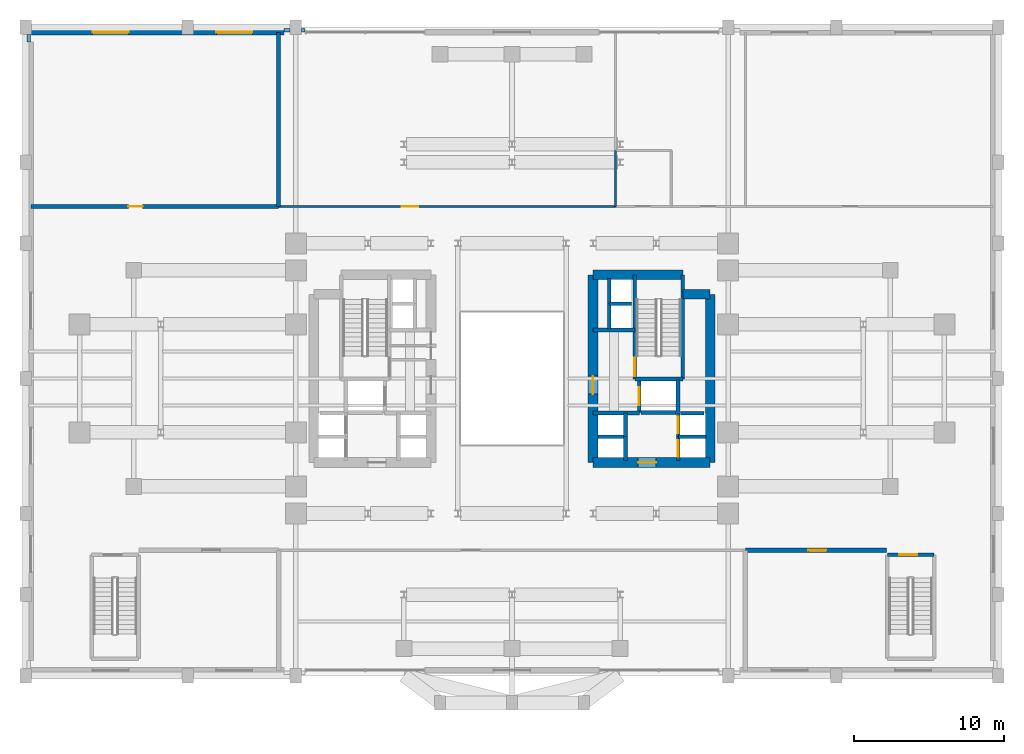
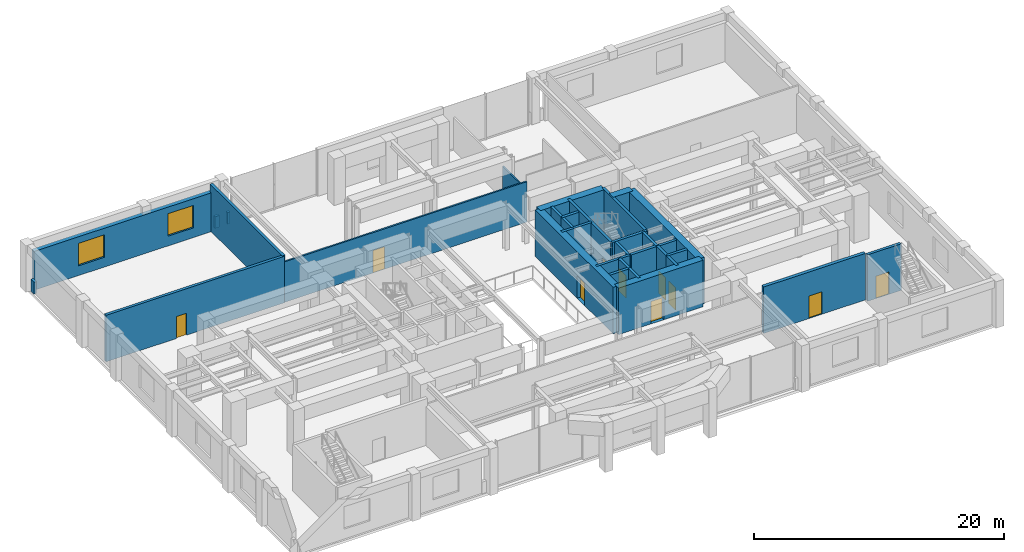
# One storey, part 11 of 14: 33 walls, 10 doors, 2 windows, 12 openings.
"""IFC4 building model written with IfcOpenShell, lengths in metres."""

from ifc_helpers import new_model, si_unit, direction, frame, frame_2d, origin, place, context, subcontext, project, spatial, rectangle, extrude, source, transform, mapped, material, layer, layer_set, type_object, element, fill, save


model = new_model("IFC4")

# Units and contexts
model_context = context("Model", 3, precision=1e-05, world=origin(), true_north=direction((0.0, 1.0)))
body_context = subcontext(model_context, "Body", "Model", "MODEL_VIEW")
ifc_project = project(units=[si_unit("LENGTHUNIT", "METRE"), si_unit("AREAUNIT", "SQUARE_METRE"), si_unit("VOLUMEUNIT", "CUBIC_METRE"), si_unit("PLANEANGLEUNIT", "RADIAN"), si_unit("MASSUNIT", "GRAM", prefix="KILO")], contexts=[model_context])

# Site, building, storey
site_placement = place(None, origin())
site = spatial("IfcSite", under=ifc_project, at=site_placement, CompositionType="ELEMENT")
building_placement = place(site_placement, origin())
building = spatial("IfcBuilding", under=site, at=building_placement, Name="Keilestroom Media Tower", CompositionType="ELEMENT")
storey_placement = place(building_placement, frame((0.0, 0.0, 15.60009765625)))
storey = spatial("IfcBuildingStorey", under=building, at=storey_placement, Name="L03", CompositionType="ELEMENT", Elevation=15.60009765625)

# Wall, opening, door
ifc_material_1 = material(Name="Concrete C45/55", Category="concrete")
ifc_layer_1 = layer(ifc_material_1, 0.25)
ifc_layer_set_1 = layer_set([ifc_layer_1], Name="Concrete C45/55")
wall_type_1 = type_object("IfcWallType", Name="Acoustic-Studio-Isolation-Wall-250", PredefinedType="SOLIDWALL", material=ifc_layer_set_1)
wall_1_placement = place(storey_placement, frame((-32.050048828125, 11.449951171875, 0.0), z_axis=(0.0, 0.0, 1.0), x_axis=(1.0, 0.0, 0.0)))
wall_1 = element("IfcWall", 1, at=wall_1_placement, inside=storey, type_object=wall_type_1, Name="L03 Interior Wall WP-L03-CTRL-NW-S", PredefinedType="SOLIDWALL", context=body_context, shape_type="SweptSolid", body=[
    extrude(rectangle(XDim=16.5, YDim=0.25, at=frame_2d((8.25, 0.0))), origin(), (0.0, 0.0, 1.0), 4.5498046875),
])
opening_1_placement = place(wall_1_placement, frame((6.5, 0.0, 0.0)))
opening_1 = element("IfcOpeningElement", 2, at=opening_1_placement, cuts=wall_1, Name="Opening DI-03", PredefinedType="OPENING", context=body_context, shape_type="SweptSolid", body=[
    extrude(rectangle(XDim=0.949951171875, YDim=2.14990234375, at=frame_2d((0.47509765625, 1.074951171875))), frame((0.0, 0.135009765625, 0.0), z_axis=(0.0, -1.0, 0.0), x_axis=(1.0, 0.0, 0.0)), (0.0, 0.0, 1.0), 0.27001953125),
])
ifc_material_2 = material(Name="Lacquered European Oak Leaf", Category="wood")
door_type_1 = type_object("IfcDoorType", Name="Interior-Room-And-Suite-Door-DI-03", OperationType="NOTDEFINED", PredefinedType="DOOR", material=ifc_material_2)
shared_shape_1 = source(origin(), body_context, "Body", "SweptSolid", [
    extrude(rectangle(XDim=0.949951171875, YDim=2.14990234375, at=frame_2d((0.47509765625, 1.074951171875))), frame((0.0, 0.02490234375, 0.0), z_axis=(0.0, -1.0, 0.0), x_axis=(1.0, 0.0, 0.0)), (0.0, 0.0, 1.0), 0.050048828125),
])
door_1_placement = place(opening_1_placement, origin())
door_1 = element("IfcDoor", 3, at=door_1_placement, inside=storey, type_object=door_type_1, Name="L03 Interior Door DI-L03-CTRL-NW-D", OperationType="SINGLE_SWING_LEFT", OverallHeight=2.14990234375, OverallWidth=0.949951171875, PredefinedType="DOOR", context=body_context, shape_type="MappedRepresentation", body=[
    mapped(shared_shape_1, transform((0.0, 0.0, 0.0), x_axis=(1.0, 0.0, 0.0), y_axis=(0.0, 1.0, 0.0), z_axis=(0.0, 0.0, 1.0), scale=1.0)),
])
fill(opening_1, door_1)

# Wall
wall_2_placement = place(storey_placement, frame((-15.550048828125, 11.449951171875, 0.0), z_axis=(0.0, 0.0, 1.0), x_axis=(0.0, 1.0, 0.0)))
element("IfcWall", 4, at=wall_2_placement, inside=storey, type_object=wall_type_1, Name="L03 Interior Wall WP-L03-CTRL-NW-E", PredefinedType="SOLIDWALL", context=body_context, shape_type="SweptSolid", body=[
    extrude(rectangle(XDim=11.60009765625, YDim=0.25, at=frame_2d((5.800048828125, 0.0))), origin(), (0.0, 0.0, 1.0), 4.5498046875),
])

# Wall, opening, door
ifc_layer_2 = layer(ifc_material_1, 0.300048828125)
ifc_layer_set_2 = layer_set([ifc_layer_2], Name="Concrete C45/55")
wall_type_2 = type_object("IfcWallType", Name="Acoustic-Studio-Isolation-Wall-300", PredefinedType="SOLIDWALL", material=ifc_layer_set_2)
wall_3_placement = place(storey_placement, frame((15.550048828125, -11.449951171875, 0.0), z_axis=(0.0, 0.0, 1.0), x_axis=(1.0, 0.0, 0.0)))
wall_3 = element("IfcWall", 5, at=wall_3_placement, inside=storey, type_object=wall_type_2, Name="L03 Interior Wall WP-L03-STD-SE-N", PredefinedType="SOLIDWALL", context=body_context, shape_type="SweptSolid", body=[
    extrude(rectangle(XDim=9.409912109375, YDim=0.300048828125, at=frame_2d((4.705078125, 0.0))), origin(), (0.0, 0.0, 1.0), 4.5498046875),
])
opening_2_placement = place(wall_3_placement, frame((4.199951171875, 0.0, 0.0)))
opening_2 = element("IfcOpeningElement", 6, at=opening_2_placement, cuts=wall_3, Name="Opening DI-02", PredefinedType="OPENING", context=body_context, shape_type="SweptSolid", body=[
    extrude(rectangle(XDim=1.199951171875, YDim=2.199951171875, at=frame_2d((0.60009765625, 1.10009765625))), frame((0.0, 0.16015625, 0.0), z_axis=(0.0, -1.0, 0.0), x_axis=(1.0, 0.0, 0.0)), (0.0, 0.0, 1.0), 0.320068359375),
])
ifc_material_3 = material(Name="Powder-Coated Steel Fire Leaf", Category="steel")
door_type_2 = type_object("IfcDoorType", Name="Interior-Compartment-Fire-Door-DI-02", OperationType="NOTDEFINED", PredefinedType="DOOR", material=ifc_material_3)
shared_shape_2 = source(origin(), body_context, "Body", "SweptSolid", [
    extrude(rectangle(XDim=1.199951171875, YDim=2.199951171875, at=frame_2d((0.60009765625, 1.10009765625))), frame((0.0, 0.02490234375, 0.0), z_axis=(0.0, -1.0, 0.0), x_axis=(1.0, 0.0, 0.0)), (0.0, 0.0, 1.0), 0.050048828125),
])
door_2_placement = place(opening_2_placement, origin())
door_2 = element("IfcDoor", 7, at=door_2_placement, inside=storey, type_object=door_type_2, Name="L03 Interior Door DI-L03-STD-SE-D", OperationType="SINGLE_SWING_RIGHT", OverallHeight=2.199951171875, OverallWidth=1.199951171875, PredefinedType="DOOR", context=body_context, shape_type="MappedRepresentation", body=[
    mapped(shared_shape_2, transform((0.0, 0.0, 0.0), x_axis=(1.0, 0.0, 0.0), y_axis=(0.0, 1.0, 0.0), z_axis=(0.0, 0.0, 1.0), scale=1.0)),
])
fill(opening_2, door_2)

# Wall, openings, windows
ifc_material_4 = material(Name="Precast concrete C40/50", Category="concrete")
ifc_layer_3 = layer(ifc_material_4, 0.3798828125)
ifc_layer_set_3 = layer_set([ifc_layer_3], Name="Precast concrete C40/50")
wall_type_3 = type_object("IfcWallType", Name="Exterior-Masonry-Spandrel-Wall-380", PredefinedType="SOLIDWALL", material=ifc_layer_set_3)
wall_4_placement = place(storey_placement, frame((-32.050048828125, 23.050048828125, 0.0), z_axis=(0.0, 0.0, 1.0), x_axis=(1.0, 0.0, 0.0)))
wall_4 = element("IfcWall", 8, at=wall_4_placement, inside=storey, type_object=wall_type_3, Name="L03 Podium Precast Masonry Wall EWL-L03-N-W", PredefinedType="SOLIDWALL", context=body_context, shape_type="SweptSolid", body=[
    extrude(rectangle(XDim=16.85009765625, YDim=0.3798828125, at=frame_2d((8.425048828125, 0.0))), origin(), (0.0, 0.0, 1.0), 3.7998046875),
])
opening_3_placement = place(wall_4_placement, frame((4.112060546875, 0.0, 0.949951171875)))
opening_3 = element("IfcOpeningElement", 9, at=opening_3_placement, cuts=wall_4, Name="Opening WN-02", PredefinedType="OPENING", context=body_context, shape_type="SweptSolid", body=[
    extrude(rectangle(XDim=2.39990234375, YDim=2.199951171875, at=frame_2d((1.199951171875, 1.10009765625))), frame((0.0, 0.199951171875, 0.0), z_axis=(0.0, -1.0, 0.0), x_axis=(1.0, 0.0, 0.0)), (0.0, 0.0, 1.0), 0.39990234375),
])
opening_4_placement = place(wall_4_placement, frame((12.362060546875, 0.0, 0.949951171875)))
opening_4 = element("IfcOpeningElement", 10, at=opening_4_placement, cuts=wall_4, Name="Opening WN-02", PredefinedType="OPENING", context=body_context, shape_type="SweptSolid", body=[
    extrude(rectangle(XDim=2.39990234375, YDim=2.199951171875, at=frame_2d((1.199951171875, 1.10009765625))), frame((0.0, 0.199951171875, 0.0), z_axis=(0.0, -1.0, 0.0), x_axis=(1.0, 0.0, 0.0)), (0.0, 0.0, 1.0), 0.39990234375),
])
ifc_material_5 = material(Name="Triple Glazed Low-E Window Unit", Category="glass")
window_type = type_object("IfcWindowType", Name="Recessed-Punched-Window-WN-02", PartitioningType="DOUBLE_PANEL_VERTICAL", PredefinedType="WINDOW", material=ifc_material_5)
shared_shape_3 = source(origin(), body_context, "Body", "SweptSolid", [
    extrude(rectangle(XDim=2.39990234375, YDim=2.199951171875, at=frame_2d((1.199951171875, 1.10009765625))), frame((0.0, 0.030029296875, 0.0), z_axis=(0.0, -1.0, 0.0), x_axis=(1.0, 0.0, 0.0)), (0.0, 0.0, 1.0), 0.06005859375),
])
window_1_placement = place(opening_3_placement, origin())
window_1 = element("IfcWindow", 11, at=window_1_placement, inside=storey, type_object=window_type, Name="L03 Window WN-02 EWL-L03-N-W-1", OverallHeight=2.199951171875, OverallWidth=2.39990234375, PartitioningType="SINGLE_PANEL", PredefinedType="WINDOW", context=body_context, shape_type="MappedRepresentation", body=[
    mapped(shared_shape_3, transform((0.0, 0.0, 0.0), x_axis=(1.0, 0.0, 0.0), y_axis=(0.0, 1.0, 0.0), z_axis=(0.0, 0.0, 1.0), scale=1.0)),
])
fill(opening_3, window_1)
window_2_placement = place(opening_4_placement, origin())
window_2 = element("IfcWindow", 12, at=window_2_placement, inside=storey, type_object=window_type, Name="L03 Window WN-02 EWL-L03-N-W-2", OverallHeight=2.199951171875, OverallWidth=2.39990234375, PartitioningType="SINGLE_PANEL", PredefinedType="WINDOW", context=body_context, shape_type="MappedRepresentation", body=[
    mapped(shared_shape_3, transform((0.0, 0.0, 0.0), x_axis=(1.0, 0.0, 0.0), y_axis=(0.0, 1.0, 0.0), z_axis=(0.0, 0.0, 1.0), scale=1.0)),
])
fill(opening_4, window_2)

# Wall
ifc_material_6 = material(Name="Gypsum Plasterboard & Steel Stud", Category="steel")
ifc_layer_4 = layer(ifc_material_6, 0.1201171875)
ifc_layer_set_4 = layer_set([ifc_layer_4], Name="Gypsum Plasterboard & Steel Stud")
wall_type_4 = type_object("IfcWallType", Name="Interior-Partition-Wall-120", PredefinedType="PARTITIONING", material=ifc_layer_set_4)
wall_5_placement = place(storey_placement, frame((6.89990234375, 11.449951171875, 0.0), z_axis=(0.0, 0.0, 1.0), x_axis=(0.0, 1.0, 0.0)))
element("IfcWall", 13, at=wall_5_placement, inside=storey, type_object=wall_type_4, Name="L03 Interior Wall WP-L03-WC-POD-W", PredefinedType="PARTITIONING", context=body_context, shape_type="SweptSolid", body=[
    extrude(rectangle(XDim=3.72998046875, YDim=0.1201171875, at=frame_2d((1.864990234375, 0.0))), origin(), (0.0, 0.0, 1.0), 3.199951171875),
])

# Wall, opening, door
ifc_layer_5 = layer(ifc_material_6, 0.14990234375)
ifc_layer_set_5 = layer_set([ifc_layer_5], Name="Gypsum Plasterboard & Steel Stud")
wall_type_5 = type_object("IfcWallType", Name="Interior-Partition-Wall-150", PredefinedType="PARTITIONING", material=ifc_layer_set_5)
wall_6_placement = place(storey_placement, frame((-15.550048828125, 11.449951171875, 0.0), z_axis=(0.0, 0.0, 1.0), x_axis=(1.0, 0.0, 0.0)))
wall_6 = element("IfcWall", 14, at=wall_6_placement, inside=storey, type_object=wall_type_5, Name="L03 Interior Wall WP-L03-GREEN-N-S", PredefinedType="PARTITIONING", context=body_context, shape_type="SweptSolid", body=[
    extrude(rectangle(XDim=22.449951171875, YDim=0.14990234375, at=frame_2d((11.22509765625, 0.0))), origin(), (0.0, 0.0, 1.0), 3.949951171875),
])
opening_5_placement = place(wall_6_placement, frame((8.199951171875, 0.0, 0.0)))
opening_5 = element("IfcOpeningElement", 15, at=opening_5_placement, cuts=wall_6, Name="Opening DI-04", PredefinedType="OPENING", context=body_context, shape_type="SweptSolid", body=[
    extrude(rectangle(XDim=1.10009765625, YDim=2.199951171875, at=frame_2d((0.550048828125, 1.10009765625))), frame((0.0, 0.0849609375, 0.0), z_axis=(0.0, -1.0, 0.0), x_axis=(1.0, 0.0, 0.0)), (0.0, 0.0, 1.0), 0.169921875),
])
ifc_material_7 = material(Name="Acoustic Glazed Aluminium Leaf", Category="aluminium")
door_type_3 = type_object("IfcDoorType", Name="Interior-Room-And-Suite-Door-DI-04", OperationType="NOTDEFINED", PredefinedType="DOOR", material=ifc_material_7)
shared_shape_4 = source(origin(), body_context, "Body", "SweptSolid", [
    extrude(rectangle(XDim=1.10009765625, YDim=2.199951171875, at=frame_2d((0.550048828125, 1.10009765625))), frame((0.0, 0.02490234375, 0.0), z_axis=(0.0, -1.0, 0.0), x_axis=(1.0, 0.0, 0.0)), (0.0, 0.0, 1.0), 0.050048828125),
])
door_3_placement = place(opening_5_placement, origin())
door_3 = element("IfcDoor", 16, at=door_3_placement, inside=storey, type_object=door_type_3, Name="L03 Interior Door DI-L03-GREEN-N-D", OperationType="SINGLE_SWING_LEFT", OverallHeight=2.199951171875, OverallWidth=1.10009765625, PredefinedType="DOOR", context=body_context, shape_type="MappedRepresentation", body=[
    mapped(shared_shape_4, transform((0.0, 0.0, 0.0), x_axis=(1.0, 0.0, 0.0), y_axis=(0.0, 1.0, 0.0), z_axis=(0.0, 0.0, 1.0), scale=1.0)),
])
fill(opening_5, door_3)

# Wall
ifc_material_8 = material(Name="Concrete C70/85", Category="concrete")
ifc_layer_6 = layer(ifc_material_8, 0.64990234375)
ifc_layer_set_6 = layer_set([ifc_layer_6], Name="Concrete C70/85")
wall_type_6 = type_object("IfcWallType", Name="Reinforced-Concrete-Core-Shear-Wall-650", PredefinedType="SHEAR", material=ifc_layer_set_6)
wall_7_placement = place(storey_placement, frame((13.199951171875, -5.60009765625, 0.0), z_axis=(0.0, 0.0, 1.0), x_axis=(0.0, 1.0, 0.0)))
element("IfcWall", 17, at=wall_7_placement, inside=storey, type_object=wall_type_6, Name="L03 Core Shear Wall WL-L03-CORE-E-OUT", PredefinedType="SHEAR", context=body_context, shape_type="SweptSolid", body=[
    extrude(rectangle(XDim=11.2001953125, YDim=0.64990234375, at=frame_2d((5.60009765625, 0.0))), origin(), (0.0, 0.0, 1.0), 4.5498046875),
])

# Wall, opening, door
wall_8_placement = place(storey_placement, frame((5.39990234375, -5.60009765625, 0.0), z_axis=(0.0, 0.0, 1.0), x_axis=(0.0, 1.0, 0.0)))
wall_8 = element("IfcWall", 18, at=wall_8_placement, inside=storey, type_object=wall_type_6, Name="L03 Core Shear Wall WL-L03-CORE-E-IN", PredefinedType="SHEAR", context=body_context, shape_type="SweptSolid", body=[
    extrude(rectangle(XDim=12.5, YDim=0.64990234375, at=frame_2d((6.25, 0.0))), origin(), (0.0, 0.0, 1.0), 4.5498046875),
])
opening_6_placement = place(wall_8_placement, frame((4.550048828125, 0.0, 0.0)))
opening_6 = element("IfcOpeningElement", 19, at=opening_6_placement, cuts=wall_8, Name="Opening DI-02", PredefinedType="OPENING", context=body_context, shape_type="SweptSolid", body=[
    extrude(rectangle(XDim=1.199951171875, YDim=2.199951171875, at=frame_2d((0.60009765625, 1.10009765625))), frame((0.0, 0.3349609375, 0.0), z_axis=(0.0, -1.0, 0.0), x_axis=(1.0, 0.0, 0.0)), (0.0, 0.0, 1.0), 0.669921875),
])
door_4_placement = place(opening_6_placement, origin())
door_4 = element("IfcDoor", 20, at=door_4_placement, inside=storey, type_object=door_type_2, Name="L03 E Firefighting Lobby Door", OperationType="SINGLE_SWING_LEFT", OverallHeight=2.199951171875, OverallWidth=1.199951171875, PredefinedType="DOOR", context=body_context, shape_type="MappedRepresentation", body=[
    mapped(shared_shape_2, transform((0.0, 0.0, 0.0), x_axis=(1.0, 0.0, 0.0), y_axis=(0.0, 1.0, 0.0), z_axis=(0.0, 0.0, 1.0), scale=1.0)),
])
fill(opening_6, door_4)

# Walls
wall_9_placement = place(storey_placement, frame((5.39990234375, 6.89990234375, 0.0), z_axis=(0.0, 0.0, 1.0), x_axis=(1.0, 0.0, 0.0)))
element("IfcWall", 21, at=wall_9_placement, inside=storey, type_object=wall_type_6, Name="L03 Core Shear Wall WL-L03-CORE-E-N", PredefinedType="SHEAR", context=body_context, shape_type="SweptSolid", body=[
    extrude(rectangle(XDim=5.981201171875, YDim=0.64990234375, at=frame_2d((2.99072265625, 0.0))), origin(), (0.0, 0.0, 1.0), 4.5498046875),
])
wall_10_placement = place(storey_placement, frame((11.381103515625, 5.60009765625, 0.0), z_axis=(0.0, 0.0, 1.0), x_axis=(1.0, 0.0, 0.0)))
element("IfcWall", 22, at=wall_10_placement, inside=storey, type_object=wall_type_6, Name="L03 Core Shear Wall WL-L03-CNE-N", PredefinedType="SHEAR", context=body_context, shape_type="SweptSolid", body=[
    extrude(rectangle(XDim=1.81884765625, YDim=0.64990234375, at=frame_2d((0.909423828125, 0.0))), origin(), (0.0, 0.0, 1.0), 4.5498046875),
])

# Wall, opening, door
wall_11_placement = place(storey_placement, frame((5.39990234375, -5.60009765625, 0.0), z_axis=(0.0, 0.0, 1.0), x_axis=(1.0, 0.0, 0.0)))
wall_11 = element("IfcWall", 23, at=wall_11_placement, inside=storey, type_object=wall_type_6, Name="L03 Core Shear Wall WL-L03-CORE-E-S", PredefinedType="SHEAR", context=body_context, shape_type="SweptSolid", body=[
    extrude(rectangle(XDim=7.800048828125, YDim=0.64990234375, at=frame_2d((3.89990234375, 0.0))), origin(), (0.0, 0.0, 1.0), 4.5498046875),
])
opening_7_placement = place(wall_11_placement, frame((3.0, 0.0, 0.0)))
opening_7 = element("IfcOpeningElement", 24, at=opening_7_placement, cuts=wall_11, Name="Opening DI-02", PredefinedType="OPENING", context=body_context, shape_type="SweptSolid", body=[
    extrude(rectangle(XDim=1.199951171875, YDim=2.199951171875, at=frame_2d((0.60009765625, 1.10009765625))), frame((0.0, 0.3349609375, 0.0), z_axis=(0.0, -1.0, 0.0), x_axis=(1.0, 0.0, 0.0)), (0.0, 0.0, 1.0), 0.669921875),
])
door_5_placement = place(opening_7_placement, origin())
door_5 = element("IfcDoor", 25, at=door_5_placement, inside=storey, type_object=door_type_2, Name="L03 E Passenger Lift Lobby Door", OperationType="SINGLE_SWING_RIGHT", OverallHeight=2.199951171875, OverallWidth=1.199951171875, PredefinedType="DOOR", context=body_context, shape_type="MappedRepresentation", body=[
    mapped(shared_shape_2, transform((0.0, 0.0, 0.0), x_axis=(1.0, 0.0, 0.0), y_axis=(0.0, 1.0, 0.0), z_axis=(0.0, 0.0, 1.0), scale=1.0)),
])
fill(opening_7, door_5)

# Walls
ifc_material_9 = material(Name="Concrete C50/60", Category="concrete")
ifc_layer_7 = layer(ifc_material_9, 0.25)
ifc_layer_set_7 = layer_set([ifc_layer_7], Name="Concrete C50/60")
wall_type_7 = type_object("IfcWallType", Name="Reinforced-Concrete-Shaft-Wall-250", PredefinedType="SOLIDWALL", material=ifc_layer_set_7)
wall_12_placement = place(storey_placement, frame((5.39990234375, 3.219970703125, 0.0), z_axis=(0.0, 0.0, 1.0), x_axis=(1.0, 0.0, 0.0)))
element("IfcWall", 26, at=wall_12_placement, inside=storey, type_object=wall_type_7, Name="L03 Core Shear Wall WL-L03-CORE-E-FFN", PredefinedType="SOLIDWALL", context=body_context, shape_type="SweptSolid", body=[
    extrude(rectangle(XDim=2.780029296875, YDim=0.25, at=frame_2d((1.39013671875, 0.0))), origin(), (0.0, 0.0, 1.0), 4.5498046875),
])
wall_13_placement = place(storey_placement, frame((5.39990234375, -2.300048828125, 0.0), z_axis=(0.0, 0.0, 1.0), x_axis=(1.0, 0.0, 0.0)))
element("IfcWall", 27, at=wall_13_placement, inside=storey, type_object=wall_type_7, Name="L03 Core Shear Wall WL-L03-CORE-E-FFS", PredefinedType="SOLIDWALL", context=body_context, shape_type="SweptSolid", body=[
    extrude(rectangle(XDim=3.080078125, YDim=0.25, at=frame_2d((1.5400390625, 0.0))), origin(), (0.0, 0.0, 1.0), 4.5498046875),
])

# Wall, opening, door
wall_14_placement = place(storey_placement, frame((8.178955078125, -0.041015625, 0.0), z_axis=(0.0, 0.0, 1.0), x_axis=(0.0, 1.0, 0.0)))
wall_14 = element("IfcWall", 28, at=wall_14_placement, inside=storey, type_object=wall_type_7, Name="L03 Core Shear Wall WL-L03-STW-E-NEAR", PredefinedType="SOLIDWALL", context=body_context, shape_type="SweptSolid", body=[
    extrude(rectangle(XDim=6.94091796875, YDim=0.25, at=frame_2d((3.470458984375, 0.0))), origin(), (0.0, 0.0, 1.0), 4.5498046875),
])
opening_8_placement = place(wall_14_placement, frame((0.199951171875, 0.0, 0.0)))
opening_8 = element("IfcOpeningElement", 29, at=opening_8_placement, cuts=wall_14, Name="Opening DI-01S", PredefinedType="OPENING", context=body_context, shape_type="SweptSolid", body=[
    extrude(rectangle(XDim=1.199951171875, YDim=2.199951171875, at=frame_2d((0.60009765625, 1.10009765625))), frame((0.0, 0.135009765625, 0.0), z_axis=(0.0, -1.0, 0.0), x_axis=(1.0, 0.0, 0.0)), (0.0, 0.0, 1.0), 0.27001953125),
])
door_type_4 = type_object("IfcDoorType", Name="Interior-Stair-And-Core-Fire-Door-DI-01", OperationType="NOTDEFINED", PredefinedType="DOOR", material=ifc_material_3)
door_6_placement = place(opening_8_placement, origin())
door_6 = element("IfcDoor", 30, at=door_6_placement, inside=storey, type_object=door_type_4, Name="L03 Escape Stair ST-2 Fire Door", OperationType="SINGLE_SWING_RIGHT", OverallHeight=2.199951171875, OverallWidth=1.199951171875, PredefinedType="DOOR", context=body_context, shape_type="MappedRepresentation", body=[
    mapped(shared_shape_2, transform((0.0, 0.0, 0.0), x_axis=(1.0, 0.0, 0.0), y_axis=(0.0, 1.0, 0.0), z_axis=(0.0, 0.0, 1.0), scale=1.0)),
])
fill(opening_8, door_6)

# Walls
wall_15_placement = place(storey_placement, frame((11.381103515625, -0.041015625, 0.0), z_axis=(0.0, 0.0, 1.0), x_axis=(0.0, 1.0, 0.0)))
element("IfcWall", 31, at=wall_15_placement, inside=storey, type_object=wall_type_7, Name="L03 Core Shear Wall WL-L03-STW-E-FAR", PredefinedType="SOLIDWALL", context=body_context, shape_type="SweptSolid", body=[
    extrude(rectangle(XDim=6.94091796875, YDim=0.25, at=frame_2d((3.470458984375, 0.0))), origin(), (0.0, 0.0, 1.0), 4.5498046875),
])
wall_16_placement = place(storey_placement, frame((8.178955078125, -0.041015625, 0.0), z_axis=(0.0, 0.0, 1.0), x_axis=(1.0, 0.0, 0.0)))
element("IfcWall", 32, at=wall_16_placement, inside=storey, type_object=wall_type_7, Name="L03 Core Shear Wall WL-L03-STW-E-S", PredefinedType="SOLIDWALL", context=body_context, shape_type="SweptSolid", body=[
    extrude(rectangle(XDim=3.2021484375, YDim=0.25, at=frame_2d((1.60107421875, 0.0))), origin(), (0.0, 0.0, 1.0), 4.5498046875),
])

# Wall, opening, door
wall_17_placement = place(storey_placement, frame((24.9990234375, -11.7490234375, 0.0), z_axis=(0.0, 0.0, 1.0), x_axis=(1.0, 0.0, 0.0)))
wall_17 = element("IfcWall", 33, at=wall_17_placement, inside=storey, type_object=wall_type_7, Name="L03 Core Shear Wall WL-L03-ST-4-N", PredefinedType="SOLIDWALL", context=body_context, shape_type="SweptSolid", body=[
    extrude(rectangle(XDim=3.1220703125, YDim=0.25, at=frame_2d((1.56103515625, 0.0))), origin(), (0.0, 0.0, 1.0), 4.5498046875),
])
opening_9_placement = place(wall_17_placement, frame((0.800048828125, 0.0, 0.0)))
opening_9 = element("IfcOpeningElement", 34, at=opening_9_placement, cuts=wall_17, Name="Opening DI-01S", PredefinedType="OPENING", context=body_context, shape_type="SweptSolid", body=[
    extrude(rectangle(XDim=1.199951171875, YDim=2.199951171875, at=frame_2d((0.60009765625, 1.10009765625))), frame((0.0, 0.135009765625, 0.0), z_axis=(0.0, -1.0, 0.0), x_axis=(1.0, 0.0, 0.0)), (0.0, 0.0, 1.0), 0.27001953125),
])
door_7_placement = place(opening_9_placement, origin())
door_7 = element("IfcDoor", 35, at=door_7_placement, inside=storey, type_object=door_type_4, Name="L03 Podium Stair ST-4 Fire Door", OperationType="SINGLE_SWING_LEFT", OverallHeight=2.199951171875, OverallWidth=1.199951171875, PredefinedType="DOOR", context=body_context, shape_type="MappedRepresentation", body=[
    mapped(shared_shape_2, transform((0.0, 0.0, 0.0), x_axis=(1.0, 0.0, 0.0), y_axis=(0.0, 1.0, 0.0), z_axis=(0.0, 0.0, 1.0), scale=1.0)),
])
fill(opening_9, door_7)

wall_18_placement = place(storey_placement, frame((8.47998046875, -2.280029296875, 0.0), z_axis=(0.0, 0.0, 1.0), x_axis=(0.0, 1.0, 0.0)))
wall_18 = element("IfcWall", 36, at=wall_18_placement, inside=storey, type_object=wall_type_7, Name="L03 Core Shear Wall WL-L03-LSH-FFL-2-W", PredefinedType="SOLIDWALL", context=body_context, shape_type="SweptSolid", body=[
    extrude(rectangle(XDim=2.179931640625, YDim=0.25, at=frame_2d((1.08984375, 0.0))), origin(), (0.0, 0.0, 1.0), 4.5498046875),
])
opening_10_placement = place(wall_18_placement, frame((0.489990234375, 0.0, 0.0)))
opening_10 = element("IfcOpeningElement", 37, at=opening_10_placement, cuts=wall_18, Name="Opening LD-02", PredefinedType="OPENING", context=body_context, shape_type="SweptSolid", body=[
    extrude(rectangle(XDim=1.199951171875, YDim=2.199951171875, at=frame_2d((0.60009765625, 1.10009765625))), frame((0.0, 0.135009765625, 0.0), z_axis=(0.0, -1.0, 0.0), x_axis=(1.0, 0.0, 0.0)), (0.0, 0.0, 1.0), 0.27001953125),
])
ifc_material_10 = material(Name="Brushed Stainless Steel Sliding Leaf", Category="steel")
door_type_5 = type_object("IfcDoorType", Name="Lift-Landing-Sliding-Door-LD-02", OperationType="SLIDING_TO_RIGHT", PredefinedType="DOOR", material=ifc_material_10)
door_8_placement = place(opening_10_placement, origin())
door_8 = element("IfcDoor", 38, at=door_8_placement, inside=storey, type_object=door_type_5, Name="L03 Lift FFL-2 Landing Sliding Door", OperationType="SLIDING_TO_RIGHT", OverallHeight=2.199951171875, OverallWidth=1.199951171875, PredefinedType="DOOR", context=body_context, shape_type="MappedRepresentation", body=[
    mapped(shared_shape_2, transform((0.0, 0.0, 0.0), x_axis=(1.0, 0.0, 0.0), y_axis=(0.0, 1.0, 0.0), z_axis=(0.0, 0.0, 1.0), scale=1.0)),
])
fill(opening_10, door_8)

# Walls
wall_19_placement = place(storey_placement, frame((11.050048828125, -2.280029296875, 0.0), z_axis=(0.0, 0.0, 1.0), x_axis=(0.0, 1.0, 0.0)))
element("IfcWall", 39, at=wall_19_placement, inside=storey, type_object=wall_type_7, Name="L03 Core Shear Wall WL-L03-LSH-FFL-2-E", PredefinedType="SOLIDWALL", context=body_context, shape_type="SweptSolid", body=[
    extrude(rectangle(XDim=2.179931640625, YDim=0.25, at=frame_2d((1.08984375, 0.0))), origin(), (0.0, 0.0, 1.0), 4.5498046875),
])
wall_20_placement = place(storey_placement, frame((8.60888671875, -2.280029296875, 0.0), z_axis=(0.0, 0.0, 1.0), x_axis=(1.0, 0.0, 0.0)))
element("IfcWall", 40, at=wall_20_placement, inside=storey, type_object=wall_type_7, Name="L03 Core Shear Wall WL-L03-LSH-FFL-2-S", PredefinedType="SOLIDWALL", context=body_context, shape_type="SweptSolid", body=[
    extrude(rectangle(XDim=2.31201171875, YDim=0.25, at=frame_2d((1.156005859375, 0.0))), origin(), (0.0, 0.0, 1.0), 4.5498046875),
])

# Wall, opening, door
wall_21_placement = place(storey_placement, frame((11.080078125, -5.47998046875, 0.0), z_axis=(0.0, 0.0, 1.0), x_axis=(0.0, 1.0, 0.0)))
wall_21 = element("IfcWall", 41, at=wall_21_placement, inside=storey, type_object=wall_type_7, Name="L03 Core Shear Wall WL-L03-LSH-PL-L3-W", PredefinedType="SOLIDWALL", context=body_context, shape_type="SweptSolid", body=[
    extrude(rectangle(XDim=1.60009765625, YDim=0.25, at=frame_2d((0.800048828125, 0.0))), origin(), (0.0, 0.0, 1.0), 4.5498046875),
])
opening_11_placement = place(wall_21_placement, frame((0.25, 0.0, 0.0)))
opening_11 = element("IfcOpeningElement", 42, at=opening_11_placement, cuts=wall_21, Name="Opening LD-01", PredefinedType="OPENING", context=body_context, shape_type="SweptSolid", body=[
    extrude(rectangle(XDim=1.10009765625, YDim=2.199951171875, at=frame_2d((0.550048828125, 1.10009765625))), frame((0.0, 0.135009765625, 0.0), z_axis=(0.0, -1.0, 0.0), x_axis=(1.0, 0.0, 0.0)), (0.0, 0.0, 1.0), 0.27001953125),
])
door_type_6 = type_object("IfcDoorType", Name="Lift-Landing-Sliding-Door-LD-01", OperationType="SLIDING_TO_LEFT", PredefinedType="DOOR", material=ifc_material_10)
door_9_placement = place(opening_11_placement, origin())
door_9 = element("IfcDoor", 43, at=door_9_placement, inside=storey, type_object=door_type_6, Name="L03 Lift PL-L3 Landing Sliding Door", OperationType="SLIDING_TO_LEFT", OverallHeight=2.199951171875, OverallWidth=1.10009765625, PredefinedType="DOOR", context=body_context, shape_type="MappedRepresentation", body=[
    mapped(shared_shape_4, transform((0.0, 0.0, 0.0), x_axis=(1.0, 0.0, 0.0), y_axis=(0.0, 1.0, 0.0), z_axis=(0.0, 0.0, 1.0), scale=1.0)),
])
fill(opening_11, door_9)

# Wall
wall_22_placement = place(storey_placement, frame((11.080078125, -3.8798828125, 0.0), z_axis=(0.0, 0.0, 1.0), x_axis=(1.0, 0.0, 0.0)))
element("IfcWall", 44, at=wall_22_placement, inside=storey, type_object=wall_type_7, Name="L03 Core Shear Wall WL-L03-LSH-PL-L3-N", PredefinedType="SOLIDWALL", context=body_context, shape_type="SweptSolid", body=[
    extrude(rectangle(XDim=1.83984375, YDim=0.25, at=frame_2d((0.919921875, 0.0))), origin(), (0.0, 0.0, 1.0), 4.5498046875),
])

# Wall, opening, door
wall_23_placement = place(storey_placement, frame((11.080078125, -3.8798828125, 0.0), z_axis=(0.0, 0.0, 1.0), x_axis=(0.0, 1.0, 0.0)))
wall_23 = element("IfcWall", 45, at=wall_23_placement, inside=storey, type_object=wall_type_7, Name="L03 Core Shear Wall WL-L03-LSH-PL-L4-W", PredefinedType="SOLIDWALL", context=body_context, shape_type="SweptSolid", body=[
    extrude(rectangle(XDim=1.559814453125, YDim=0.25, at=frame_2d((0.77978515625, 0.0))), origin(), (0.0, 0.0, 1.0), 4.5498046875),
])
opening_12_placement = place(wall_23_placement, frame((0.22998046875, 0.0, 0.0)))
opening_12 = element("IfcOpeningElement", 46, at=opening_12_placement, cuts=wall_23, Name="Opening LD-01", PredefinedType="OPENING", context=body_context, shape_type="SweptSolid", body=[
    extrude(rectangle(XDim=1.10009765625, YDim=2.199951171875, at=frame_2d((0.550048828125, 1.10009765625))), frame((0.0, 0.135009765625, 0.0), z_axis=(0.0, -1.0, 0.0), x_axis=(1.0, 0.0, 0.0)), (0.0, 0.0, 1.0), 0.27001953125),
])
door_10_placement = place(opening_12_placement, origin())
door_10 = element("IfcDoor", 47, at=door_10_placement, inside=storey, type_object=door_type_6, Name="L03 Lift PL-L4 Landing Sliding Door", OperationType="SLIDING_TO_LEFT", OverallHeight=2.199951171875, OverallWidth=1.10009765625, PredefinedType="DOOR", context=body_context, shape_type="MappedRepresentation", body=[
    mapped(shared_shape_4, transform((0.0, 0.0, 0.0), x_axis=(1.0, 0.0, 0.0), y_axis=(0.0, 1.0, 0.0), z_axis=(0.0, 0.0, 1.0), scale=1.0)),
])
fill(opening_12, door_10)

# Walls
wall_24_placement = place(storey_placement, frame((11.208984375, -2.320068359375, 0.0), z_axis=(0.0, 0.0, 1.0), x_axis=(1.0, 0.0, 0.0)))
element("IfcWall", 48, at=wall_24_placement, inside=storey, type_object=wall_type_7, Name="L03 Core Shear Wall WL-L03-LSH-PL-L4-N", PredefinedType="SOLIDWALL", context=body_context, shape_type="SweptSolid", body=[
    extrude(rectangle(XDim=1.58203125, YDim=0.25, at=frame_2d((0.791015625, 0.0))), origin(), (0.0, 0.0, 1.0), 4.5498046875),
])
wall_25_placement = place(storey_placement, frame((7.56005859375, -5.47998046875, 0.0), z_axis=(0.0, 0.0, 1.0), x_axis=(0.0, 1.0, 0.0)))
element("IfcWall", 49, at=wall_25_placement, inside=storey, type_object=wall_type_7, Name="L03 Core Shear Wall WL-L03-LSH-PL-M3-E", PredefinedType="SOLIDWALL", context=body_context, shape_type="SweptSolid", body=[
    extrude(rectangle(XDim=1.60009765625, YDim=0.25, at=frame_2d((0.800048828125, 0.0))), origin(), (0.0, 0.0, 1.0), 4.5498046875),
])
wall_26_placement = place(storey_placement, frame((5.719970703125, -3.8798828125, 0.0), z_axis=(0.0, 0.0, 1.0), x_axis=(1.0, 0.0, 0.0)))
element("IfcWall", 50, at=wall_26_placement, inside=storey, type_object=wall_type_7, Name="L03 Core Shear Wall WL-L03-LSH-PL-M3-N", PredefinedType="SOLIDWALL", context=body_context, shape_type="SweptSolid", body=[
    extrude(rectangle(XDim=1.840087890625, YDim=0.25, at=frame_2d((0.919921875, 0.0))), origin(), (0.0, 0.0, 1.0), 4.5498046875),
])
wall_27_placement = place(storey_placement, frame((7.56005859375, -3.8798828125, 0.0), z_axis=(0.0, 0.0, 1.0), x_axis=(0.0, 1.0, 0.0)))
element("IfcWall", 51, at=wall_27_placement, inside=storey, type_object=wall_type_7, Name="L03 Core Shear Wall WL-L03-LSH-PL-M4-E", PredefinedType="SOLIDWALL", context=body_context, shape_type="SweptSolid", body=[
    extrude(rectangle(XDim=1.559814453125, YDim=0.25, at=frame_2d((0.77978515625, 0.0))), origin(), (0.0, 0.0, 1.0), 4.5498046875),
])
wall_28_placement = place(storey_placement, frame((6.47998046875, 3.300048828125, 0.0), z_axis=(0.0, 0.0, 1.0), x_axis=(0.0, 1.0, 0.0)))
element("IfcWall", 52, at=wall_28_placement, inside=storey, type_object=wall_type_7, Name="L03 Core Shear Wall WL-L03-LSH-PL-H3-W", PredefinedType="SOLIDWALL", context=body_context, shape_type="SweptSolid", body=[
    extrude(rectangle(XDim=1.679931640625, YDim=0.25, at=frame_2d((0.83984375, 0.0))), origin(), (0.0, 0.0, 1.0), 4.5498046875),
])
wall_29_placement = place(storey_placement, frame((6.47998046875, 4.97998046875, 0.0), z_axis=(0.0, 0.0, 1.0), x_axis=(1.0, 0.0, 0.0)))
element("IfcWall", 53, at=wall_29_placement, inside=storey, type_object=wall_type_7, Name="L03 Core Shear Wall WL-L03-LSH-PL-H3-N", PredefinedType="SOLIDWALL", context=body_context, shape_type="SweptSolid", body=[
    extrude(rectangle(XDim=1.469970703125, YDim=0.25, at=frame_2d((0.73486328125, 0.0))), origin(), (0.0, 0.0, 1.0), 4.5498046875),
])
wall_30_placement = place(storey_placement, frame((6.47998046875, 4.97998046875, 0.0), z_axis=(0.0, 0.0, 1.0), x_axis=(0.0, 1.0, 0.0)))
element("IfcWall", 54, at=wall_30_placement, inside=storey, type_object=wall_type_7, Name="L03 Core Shear Wall WL-L03-LSH-PL-H4-W", PredefinedType="SOLIDWALL", context=body_context, shape_type="SweptSolid", body=[
    extrude(rectangle(XDim=1.669921875, YDim=0.25, at=frame_2d((0.8349609375, 0.0))), origin(), (0.0, 0.0, 1.0), 4.5498046875),
])
ifc_layer_8 = layer(ifc_material_4, 0.239990234375)
ifc_layer_set_8 = layer_set([ifc_layer_8], Name="Precast concrete C40/50")
wall_type_8 = type_object("IfcWallType", Name="Roof-And-Terrace-Parapet-Wall-240", PredefinedType="PARAPET", material=ifc_layer_set_8)
wall_31_placement = place(storey_placement, frame((-32.199951171875, 22.403076171875, 0.0), z_axis=(0.0, 0.0, 1.0), x_axis=(0.0, 1.0, 0.0)))
element("IfcWall", 55, at=wall_31_placement, inside=storey, type_object=wall_type_8, Name="L03 Perimeter Edge Parapet Wall 02", PredefinedType="PARAPET", context=body_context, shape_type="SweptSolid", body=[
    extrude(rectangle(XDim=0.51904296875, YDim=0.239990234375, at=frame_2d((0.259521484375, 0.0))), origin(), (0.0, 0.0, 1.0), 1.14990234375),
])
wall_32_placement = place(storey_placement, frame((-15.197021484375, 23.199951171875, 0.0), z_axis=(0.0, 0.0, 1.0), x_axis=(1.0, 0.0, 0.0)))
element("IfcWall", 56, at=wall_32_placement, inside=storey, type_object=wall_type_8, Name="L03 Perimeter Edge Parapet Wall 03", PredefinedType="PARAPET", context=body_context, shape_type="SweptSolid", body=[
    extrude(rectangle(XDim=0.4189453125, YDim=0.239990234375, at=frame_2d((0.20947265625, 0.0))), origin(), (0.0, 0.0, 1.0), 1.14990234375),
])
wall_33_placement = place(storey_placement, frame((-14.02197265625, 23.199951171875, 0.0), z_axis=(0.0, 0.0, 1.0), x_axis=(1.0, 0.0, 0.0)))
element("IfcWall", 57, at=wall_33_placement, inside=storey, type_object=wall_type_8, Name="L03 Perimeter Edge Parapet Wall 04", PredefinedType="PARAPET", context=body_context, shape_type="SweptSolid", body=[
    extrude(rectangle(XDim=0.239013671875, YDim=0.239990234375, at=frame_2d((0.11962890625, 0.0))), origin(), (0.0, 0.0, 1.0), 1.14990234375),
])

save(model, "model.ifc")
